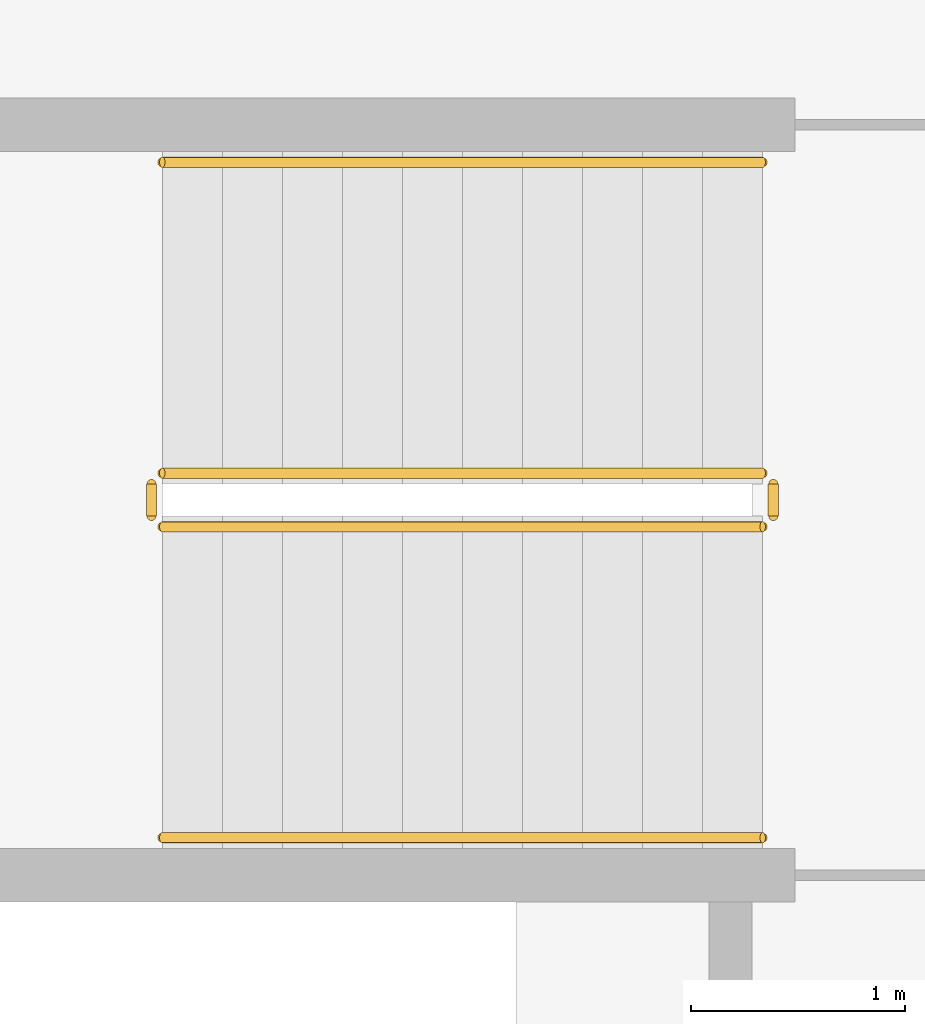
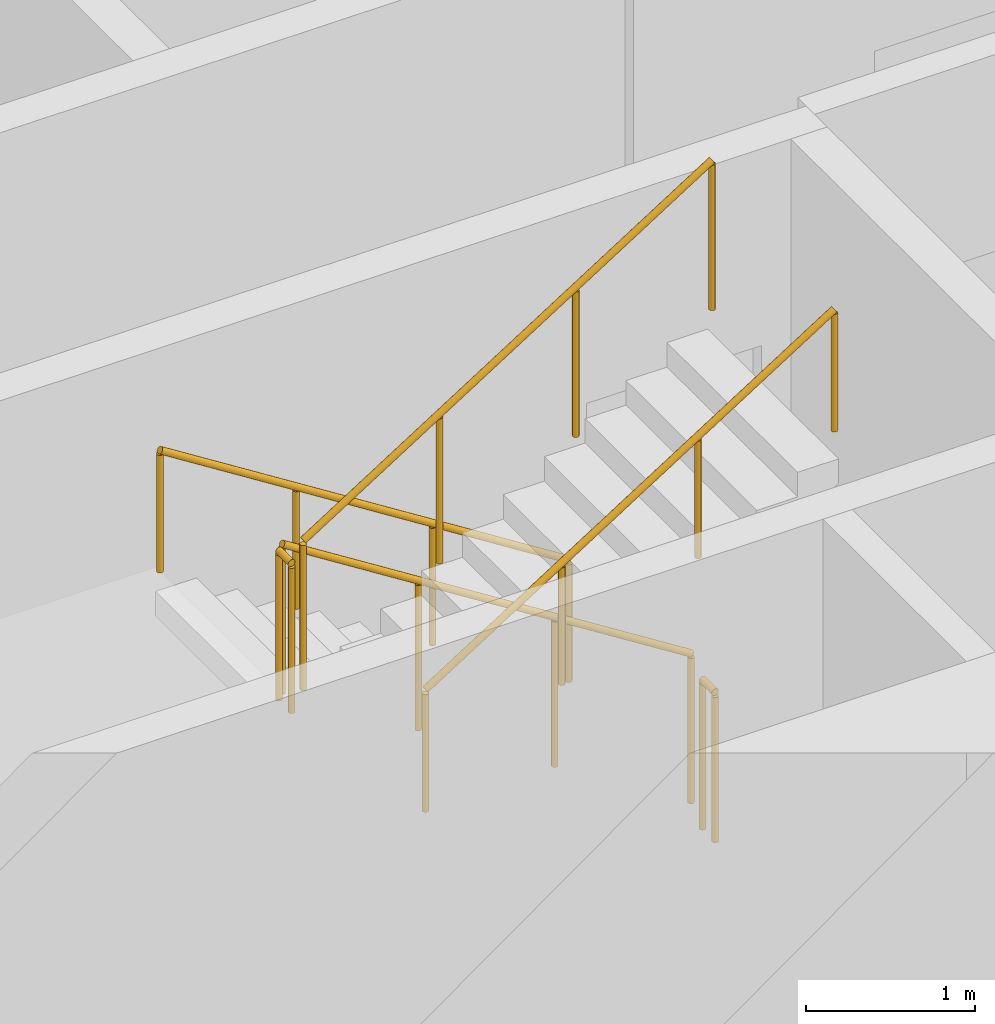
# One storey, part 11 of 14: 6 railings.
"""IFC4 building model written with IfcOpenShell, lengths in metres."""

from ifc_helpers import new_model, si_unit, direction, frame, origin, origin_2d, place, context, subcontext, project, spatial, circle, extrude, material, type_object, element, save


model = new_model("IFC4")

# Units and contexts
model_context = context("Model", 3, precision=1e-05, world=origin(), true_north=direction((0.0, 1.0)))
body_context = subcontext(model_context, "Body", "Model", "MODEL_VIEW")
ifc_project = project(units=[si_unit("LENGTHUNIT", "METRE"), si_unit("AREAUNIT", "SQUARE_METRE"), si_unit("VOLUMEUNIT", "CUBIC_METRE"), si_unit("PLANEANGLEUNIT", "RADIAN"), si_unit("MASSUNIT", "GRAM", prefix="KILO")], contexts=[model_context])

# Site, building, storey
site_placement = place(None, origin())
site = spatial("IfcSite", under=ifc_project, at=site_placement, CompositionType="ELEMENT")
building_placement = place(site_placement, origin())
building = spatial("IfcBuilding", under=site, at=building_placement, Name="Dhurran Vertical Campus", CompositionType="ELEMENT")
storey_placement = place(building_placement, frame((0.0, 0.0, 96.89990234375)))
storey = spatial("IfcBuildingStorey", under=building, at=storey_placement, Name="L23", CompositionType="ELEMENT", Elevation=96.89990234375)

# Railings
ifc_material_1 = material(Name="Stainless steel balustrade", Category="steel")
railing_type_1 = type_object("IfcRailingType", Name="co-RL-GUARD-1100", PredefinedType="GUARDRAIL", material=ifc_material_1)
railing_1_placement = place(storey_placement, frame((11.10009765625, -8.89990234375, 0.177490234375)))
element("IfcRailing", 1, at=railing_1_placement, inside=storey, type_object=railing_type_1, Name="L23 ST4 stair guard 1", PredefinedType="GUARDRAIL", context=body_context, shape_type="SweptSolid", body=[
    extrude(circle(Radius=0.02392578125, at=origin_2d()), frame((0.0, 0.0, 1.076171875), z_axis=(-0.844908973607, 0.0, 0.534910110503), x_axis=(0.0, -1.0, 0.0)), (0.0, 0.0, 1.0), 3.31396484375),
    extrude(circle(Radius=0.02099609375, at=origin_2d()), origin(), (0.0, 0.0, 1.0), 1.052001953125),
    extrude(circle(Radius=0.02099609375, at=origin_2d()), frame((-0.933349609375, 0.0, 0.5908203125)), (0.0, 0.0, 1.0), 1.052001953125),
    extrude(circle(Radius=0.02099609375, at=origin_2d()), frame((-1.86669921875, 0.0, 1.181884765625)), (0.0, 0.0, 1.0), 1.052001953125),
    extrude(circle(Radius=0.02099609375, at=origin_2d()), frame((-2.800048828125, 0.0, 1.772705078125)), (0.0, 0.0, 1.0), 1.052001953125),
])
railing_2_placement = place(storey_placement, frame((8.25, -8.949951171875, 1.9501953125)))
element("IfcRailing", 2, at=railing_2_placement, inside=storey, type_object=railing_type_1, Name="L23 ST4 stair guard 2", PredefinedType="GUARDRAIL", context=body_context, shape_type="SweptSolid", body=[
    extrude(circle(Radius=0.02392578125, at=origin_2d()), frame((0.0, 0.0, 1.076171875), z_axis=(0.0, -1.0, 0.0), x_axis=(1.0, 0.0, 0.0)), (0.0, 0.0, 1.0), 0.150146484375),
    extrude(circle(Radius=0.02099609375, at=origin_2d()), origin(), (0.0, 0.0, 1.0), 1.052001953125),
    extrude(circle(Radius=0.02099609375, at=origin_2d()), frame((0.0, -0.150146484375, 0.0)), (0.0, 0.0, 1.0), 1.052001953125),
])
railing_3_placement = place(storey_placement, frame((8.300048828125, -9.14990234375, 2.12744140625)))
element("IfcRailing", 3, at=railing_3_placement, inside=storey, type_object=railing_type_1, Name="L23 ST4 stair guard 3", PredefinedType="GUARDRAIL", context=body_context, shape_type="SweptSolid", body=[
    extrude(circle(Radius=0.02392578125, at=origin_2d()), frame((0.0, 0.0, 1.076171875), z_axis=(0.844908973607, 0.0, 0.534910110503), x_axis=(0.0, 1.0, 0.0)), (0.0, 0.0, 1.0), 3.31396484375),
    extrude(circle(Radius=0.02099609375, at=origin_2d()), origin(), (0.0, 0.0, 1.0), 1.052001953125),
    extrude(circle(Radius=0.02099609375, at=origin_2d()), frame((0.933349609375, 0.0, 0.5908203125)), (0.0, 0.0, 1.0), 1.052001953125),
    extrude(circle(Radius=0.02099609375, at=origin_2d()), frame((1.86669921875, 0.0, 1.181884765625)), (0.0, 0.0, 1.0), 1.052001953125),
    extrude(circle(Radius=0.02099609375, at=origin_2d()), frame((2.800048828125, 0.0, 1.772705078125)), (0.0, 0.0, 1.0), 1.052001953125),
])
railing_4_placement = place(storey_placement, frame((11.14990234375, -8.949951171875, 0.0)))
element("IfcRailing", 4, at=railing_4_placement, inside=storey, type_object=railing_type_1, Name="L23 ST4 stair guard 4", PredefinedType="GUARDRAIL", context=body_context, shape_type="SweptSolid", body=[
    extrude(circle(Radius=0.02392578125, at=origin_2d()), frame((0.0, 0.0, 1.076171875), z_axis=(0.0, -1.0, 0.0), x_axis=(1.0, 0.0, 0.0)), (0.0, 0.0, 1.0), 0.150146484375),
    extrude(circle(Radius=0.02099609375, at=origin_2d()), origin(), (0.0, 0.0, 1.0), 1.052001953125),
    extrude(circle(Radius=0.02099609375, at=origin_2d()), frame((0.0, -0.150146484375, 0.0)), (0.0, 0.0, 1.0), 1.052001953125),
])
ifc_material_2 = material(Name="Stainless steel handrail", Category="steel")
railing_type_2 = type_object("IfcRailingType", Name="co-RL-HANDRAIL-900", PredefinedType="HANDRAIL", material=ifc_material_2)
railing_5_placement = place(storey_placement, frame((11.10009765625, -7.449951171875, 0.177490234375)))
element("IfcRailing", 5, at=railing_5_placement, inside=storey, type_object=railing_type_2, Name="L23 ST4 stair handrail 1", PredefinedType="HANDRAIL", context=body_context, shape_type="SweptSolid", body=[
    extrude(circle(Radius=0.02392578125, at=origin_2d()), frame((0.0, 0.0, 0.8759765625), z_axis=(-0.844908973607, 0.0, 0.534910110503), x_axis=(0.0, -1.0, 0.0)), (0.0, 0.0, 1.0), 3.31396484375),
    extrude(circle(Radius=0.02099609375, at=origin_2d()), origin(), (0.0, 0.0, 1.0), 0.851806640625),
    extrude(circle(Radius=0.02099609375, at=origin_2d()), frame((-0.933349609375, 0.0, 0.5908203125)), (0.0, 0.0, 1.0), 0.851806640625),
    extrude(circle(Radius=0.02099609375, at=origin_2d()), frame((-1.86669921875, 0.0, 1.181884765625)), (0.0, 0.0, 1.0), 0.851806640625),
    extrude(circle(Radius=0.02099609375, at=origin_2d()), frame((-2.800048828125, 0.0, 1.772705078125)), (0.0, 0.0, 1.0), 0.851806640625),
])
railing_6_placement = place(storey_placement, frame((8.300048828125, -10.60009765625, 2.12744140625)))
element("IfcRailing", 6, at=railing_6_placement, inside=storey, type_object=railing_type_2, Name="L23 ST4 stair handrail 2", PredefinedType="HANDRAIL", context=body_context, shape_type="SweptSolid", body=[
    extrude(circle(Radius=0.02392578125, at=origin_2d()), frame((0.0, 0.0, 0.8759765625), z_axis=(0.844908973607, 0.0, 0.534910110503), x_axis=(0.0, 1.0, 0.0)), (0.0, 0.0, 1.0), 3.31396484375),
    extrude(circle(Radius=0.02099609375, at=origin_2d()), origin(), (0.0, 0.0, 1.0), 0.851806640625),
    extrude(circle(Radius=0.02099609375, at=origin_2d()), frame((0.933349609375, 0.0, 0.5908203125)), (0.0, 0.0, 1.0), 0.851806640625),
    extrude(circle(Radius=0.02099609375, at=origin_2d()), frame((1.86669921875, 0.0, 1.181884765625)), (0.0, 0.0, 1.0), 0.851806640625),
    extrude(circle(Radius=0.02099609375, at=origin_2d()), frame((2.800048828125, 0.0, 1.772705078125)), (0.0, 0.0, 1.0), 0.851806640625),
])

save(model, "model.ifc")
